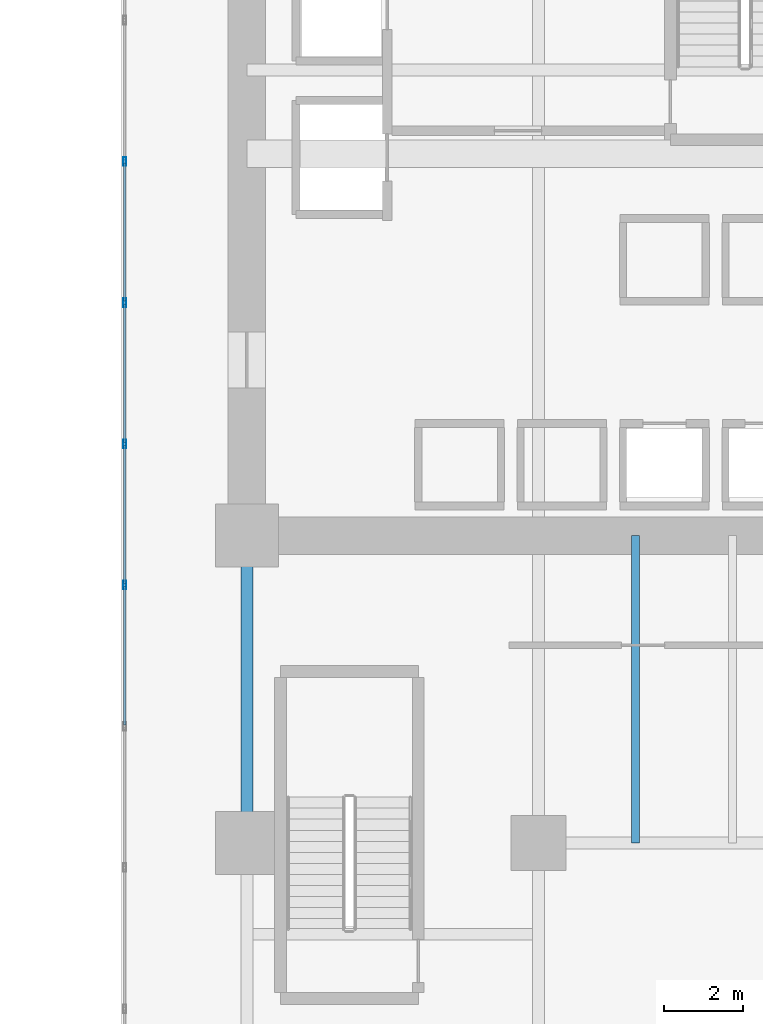
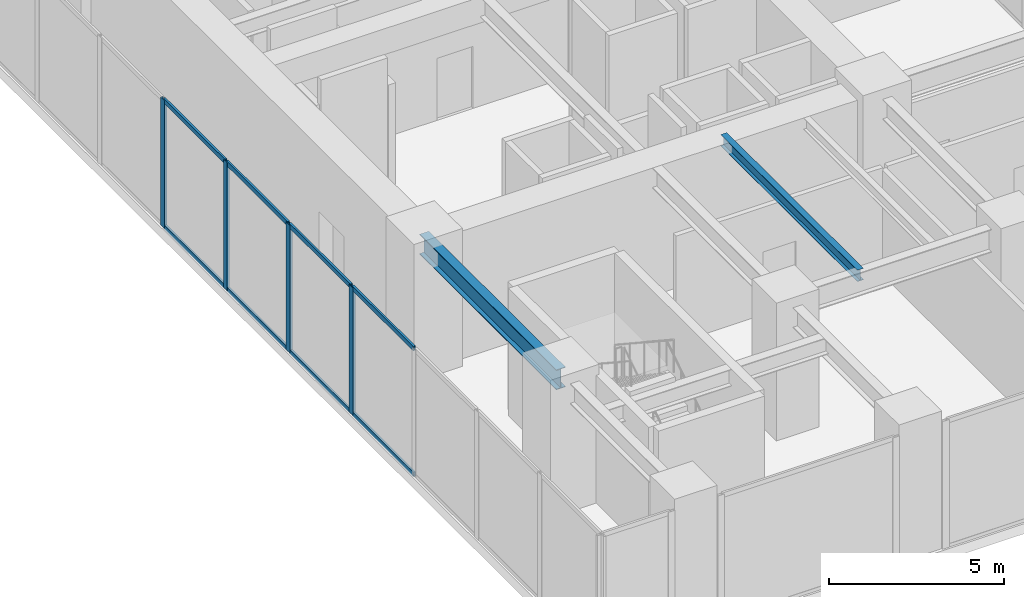
# One storey, part 9 of 32: 12 members, 2 beams, 1 element without a shape of its own.
"""IFC4 building model written with IfcOpenShell, lengths in metres."""

import ifcopenshell
import ifcopenshell.guid

model = None  # the IFC model being written
_history = None  # IfcOwnerHistory: only IFC2X3 demands one
_inside = {}  # id of a spatial element -> (the spatial element, [elements in it])
_under = {}  # id of a project, library or spatial element -> (it, [spatial elements below it])
_declared = {}  # id of a project -> (the project, [libraries it declares])
_typed = {}  # id of a type object -> (the type object, [elements of that type])
_made_of = {}  # id of a material, layer set ... -> (it, [elements and type objects made of it])


def new_model(schema):
    """Start an empty IFC model of exactly this schema.

    Asked for "IFC4X3", IfcOpenShell would pick the latest addendum, in which some entities
    have other attributes; the version numbers below select the first issue.
    IFC2X3 requires an IfcOwnerHistory on every rooted entity: one is made here for all.
    """
    global model, _history
    if schema == "IFC4X3":
        model = ifcopenshell.file(schema_version=(4, 3, 0, 0))
    else:
        model = ifcopenshell.file(schema=schema)
    _inside.clear()
    _under.clear()
    _declared.clear()
    _typed.clear()
    _made_of.clear()
    _history = None
    if model.schema == "IFC2X3":
        org = make("IfcOrganization", Name="unknown")
        user = make(
            "IfcPersonAndOrganization",
            ThePerson=make("IfcPerson", FamilyName="unknown"),
            TheOrganization=org,
        )
        app = make(
            "IfcApplication",
            ApplicationDeveloper=org,
            Version="unknown",
            ApplicationFullName="unknown",
            ApplicationIdentifier="unknown",
        )
        _history = make(
            "IfcOwnerHistory",
            OwningUser=user,
            OwningApplication=app,
            ChangeAction="ADDED",
            CreationDate=0,
        )
    return model


def make(cls, **values):
    """One entity of the class cls with the attributes given. An attribute that is None is left unset."""
    return model.create_entity(
        cls, **{name: value for name, value in values.items() if value is not None}
    )


def rooted(cls, **values):
    """An entity with a GlobalId (a new one), such as an element, a storey or a relation."""
    return make(cls, GlobalId=ifcopenshell.guid.new(), OwnerHistory=_history, **values)


def si_unit(unit_type, name, prefix=None):
    """IfcSIUnit, for example si_unit("LENGTHUNIT", "METRE", prefix="MILLI")."""
    return make("IfcSIUnit", UnitType=unit_type, Prefix=prefix, Name=name)


def assignment(units):
    """IfcUnitAssignment: the units of a project."""
    return None if units is None else make("IfcUnitAssignment", Units=units)


def point(xyz):
    """IfcCartesianPoint."""
    return None if xyz is None else make("IfcCartesianPoint", Coordinates=xyz)


def direction(xyz):
    """IfcDirection."""
    return None if xyz is None else make("IfcDirection", DirectionRatios=xyz)


def frame(location, z_axis=None, x_axis=None):
    """IfcAxis2Placement3D, a coordinate frame: its origin and axes. An axis left out is left unset."""
    return make(
        "IfcAxis2Placement3D",
        Location=point(location),
        Axis=direction(z_axis),
        RefDirection=direction(x_axis),
    )


def frame_2d(location, x_axis=None):
    """IfcAxis2Placement2D, a coordinate frame in the plane: its origin and x axis."""
    return make(
        "IfcAxis2Placement2D", Location=point(location), RefDirection=direction(x_axis)
    )


def origin():
    """The frame at (0, 0, 0) with its axes left unset."""
    return frame((0.0, 0.0, 0.0))


def origin_2d():
    """The frame at (0, 0) in the plane with its x axis left unset."""
    return frame_2d((0.0, 0.0))


def place(relative_to, where):
    """IfcLocalPlacement: puts the frame where relative to a parent placement (None: the world)."""
    return make(
        "IfcLocalPlacement", PlacementRelTo=relative_to, RelativePlacement=where
    )


def context(
    kind, dimensions, precision=None, world=None, true_north=None, identifier=None
):
    """IfcGeometricRepresentationContext, for example the 3D "Model" context."""
    return make(
        "IfcGeometricRepresentationContext",
        ContextIdentifier=identifier,
        ContextType=kind,
        CoordinateSpaceDimension=dimensions,
        Precision=precision,
        WorldCoordinateSystem=world,
        TrueNorth=true_north,
    )


def subcontext(parent, identifier, kind, view, scale=None):
    """IfcGeometricRepresentationSubContext, for example "Body" below "Model"."""
    return make(
        "IfcGeometricRepresentationSubContext",
        ContextIdentifier=identifier,
        ContextType=kind,
        ParentContext=parent,
        TargetScale=scale,
        TargetView=view,
    )


def project(units=None, contexts=None):
    """IfcProject with its units and contexts."""
    return rooted(
        "IfcProject",
        Name="project",
        RepresentationContexts=contexts,
        UnitsInContext=assignment(units),
    )


def spatial(cls, under=None, at=None, **own):
    """A site, building, storey or space (cls), placed at a placement, below another one or the project."""
    s = rooted(cls, ObjectPlacement=at, **own)
    if under is not None:
        _under.setdefault(under.id(), (under, []))[1].append(s)
    return s


def profile(cls, at=None, kind="AREA", **sizes):
    """A parametric profile (cls). Its sizes go by their IFC names, for example OverallWidth=200.0."""
    return make(cls, ProfileType=kind, Position=at, **sizes)


def hollow_rectangle(**sizes):
    """IfcRectangleHollowProfileDef."""
    return profile("IfcRectangleHollowProfileDef", **sizes)


def i_section(**sizes):
    """IfcIShapeProfileDef."""
    return profile("IfcIShapeProfileDef", **sizes)


def extrude(swept, where, along, depth):
    """IfcExtrudedAreaSolid: the profile swept, set in the frame where, extruded along a direction by depth."""
    return make(
        "IfcExtrudedAreaSolid",
        SweptArea=swept,
        Position=where,
        ExtrudedDirection=direction(along),
        Depth=depth,
    )


def shape(context_of_items, identifier, shape_type, items):
    """IfcShapeRepresentation: the items that make up one representation, for example the "Body"."""
    return make(
        "IfcShapeRepresentation",
        ContextOfItems=context_of_items,
        RepresentationIdentifier=identifier,
        RepresentationType=shape_type,
        Items=items,
    )


def source(mapping_origin, context_of_items, identifier, shape_type, items):
    """IfcRepresentationMap: a shape defined once, which mapped items show again and again."""
    return make(
        "IfcRepresentationMap",
        MappingOrigin=mapping_origin,
        MappedRepresentation=shape(context_of_items, identifier, shape_type, items),
    )


def transform(
    local_origin,
    x_axis=None,
    y_axis=None,
    z_axis=None,
    scale=None,
    scale2=None,
    scale3=None,
    uniform=True,
):
    """IfcCartesianTransformationOperator3D, or its non-uniform kind. x_axis, y_axis, z_axis: its Axis1, 2, 3."""
    if uniform:
        return make(
            "IfcCartesianTransformationOperator3D",
            Axis1=direction(x_axis),
            Axis2=direction(y_axis),
            LocalOrigin=point(local_origin),
            Scale=scale,
            Axis3=direction(z_axis),
        )
    return make(
        "IfcCartesianTransformationOperator3DnonUniform",
        Axis1=direction(x_axis),
        Axis2=direction(y_axis),
        LocalOrigin=point(local_origin),
        Scale=scale,
        Axis3=direction(z_axis),
        Scale2=scale2,
        Scale3=scale3,
    )


def mapped(mapping_source, mapping_target):
    """IfcMappedItem: shows the shape of a source again, moved by a transform."""
    return make(
        "IfcMappedItem", MappingSource=mapping_source, MappingTarget=mapping_target
    )


def material(Name=None, Category=None):
    """IfcMaterial."""
    return make("IfcMaterial", Name=Name, Category=Category)


def layer(
    of_material, thickness, ventilated=None, Name=None, Category=None, Priority=None
):
    """IfcMaterialLayer: one layer of a wall or slab, of a material (None: an air gap)."""
    return make(
        "IfcMaterialLayer",
        Material=of_material,
        LayerThickness=thickness,
        IsVentilated=ventilated,
        Name=Name,
        Category=Category,
        Priority=Priority,
    )


def layer_set(layers, Name=None):
    """IfcMaterialLayerSet."""
    return make("IfcMaterialLayerSet", MaterialLayers=layers, LayerSetName=Name)


def material_profile(
    of_material, cross_section, Name=None, Category=None, Priority=None
):
    """IfcMaterialProfile: a cross section and its material."""
    return make(
        "IfcMaterialProfile",
        Name=Name,
        Material=of_material,
        Profile=cross_section,
        Priority=Priority,
        Category=Category,
    )


def profile_set(profiles, Name=None, composite=None):
    """IfcMaterialProfileSet."""
    return make(
        "IfcMaterialProfileSet",
        Name=Name,
        MaterialProfiles=profiles,
        CompositeProfile=composite,
    )


def made_of(thing, what):
    """Note that an element or type object is made of a material, layer set ...; save() writes the relation."""
    if what is not None:
        _made_of.setdefault(what.id(), (what, []))[1].append(thing)
    return thing


def type_object(cls, material=None, **own):
    """A type object (cls), such as IfcWallType, which elements share."""
    return made_of(rooted(cls, **own), material)


def type_shapes(of_type, sources):
    """Give a type object the sources (RepresentationMaps) that its elements show as mapped items."""
    of_type.RepresentationMaps = sources


def element(
    cls,
    number,
    at=None,
    inside=None,
    cuts=None,
    type_object=None,
    material=None,
    context=None,
    identifier="Body",
    shape_type=None,
    held_by="IfcProductDefinitionShape",
    body=None,
    shapes=None,
    **own,
):
    """One element of the class cls, such as IfcWall. Its Tag is "e" and its number.

    at: its placement. inside: the storey or other place that contains it. cuts: it is an
    opening in that element (IfcRelVoidsElement). A single representation is given by context,
    identifier, shape_type and body (its items); several are given by shapes. held_by: the class
    of the entity that holds the representations. save() writes the other relations.
    """
    e = rooted(cls, Tag="e%d" % number, ObjectPlacement=at, **own)
    if body is not None:
        shapes = [shape(context, identifier, shape_type, body)]
    if shapes is not None:
        e.Representation = make(held_by, Representations=shapes)
    if inside is not None:
        _inside.setdefault(inside.id(), (inside, []))[1].append(e)
    if cuts is not None:
        rooted(
            "IfcRelVoidsElement", RelatingBuildingElement=cuts, RelatedOpeningElement=e
        )
    if type_object is not None:
        _typed.setdefault(type_object.id(), (type_object, []))[1].append(e)
    return made_of(e, material)


def aggregate(whole, parts):
    """IfcRelAggregates: a whole, such as a stair, and the parts it consists of."""
    return rooted("IfcRelAggregates", RelatingObject=whole, RelatedObjects=parts)


def save(model, path):
    """Write the relations noted so far, then the file.

    IfcRelAggregates (storeys below a building ...), IfcRelContainedInSpatialStructure (elements
    in a storey), IfcRelDefinesByType, IfcRelAssociatesMaterial and IfcRelDeclares: one each for
    every whole, place, type object, material and project.
    """
    for whole, parts in _under.values():
        aggregate(whole, parts)
    for where, things in _inside.values():
        rooted(
            "IfcRelContainedInSpatialStructure",
            RelatedElements=things,
            RelatingStructure=where,
        )
    for kind, things in _typed.values():
        rooted("IfcRelDefinesByType", RelatedObjects=things, RelatingType=kind)
    for what, things in _made_of.values():
        rooted("IfcRelAssociatesMaterial", RelatedObjects=things, RelatingMaterial=what)
    for by, libraries in _declared.values():
        rooted("IfcRelDeclares", RelatingContext=by, RelatedDefinitions=libraries)
    model.write(path)


model = new_model("IFC4")

# Units and contexts
model_context = context("Model", 3, precision=1e-05, world=origin(), true_north=direction((0.0, 1.0)))
body_context = subcontext(model_context, "Body", "Model", "MODEL_VIEW")
ifc_project = project(units=[si_unit("LENGTHUNIT", "METRE"), si_unit("AREAUNIT", "SQUARE_METRE"), si_unit("VOLUMEUNIT", "CUBIC_METRE"), si_unit("PLANEANGLEUNIT", "RADIAN"), si_unit("MASSUNIT", "GRAM", prefix="KILO")], contexts=[model_context])

# Site, building, storey
site_placement = place(None, origin())
site = spatial("IfcSite", under=ifc_project, at=site_placement, CompositionType="ELEMENT")
building_placement = place(site_placement, origin())
building = spatial("IfcBuilding", under=site, at=building_placement, Name="Haelvirn Gate Laboratories", CompositionType="ELEMENT")
storey_placement = place(building_placement, frame((0.0, 0.0, 5.39990234375)))
storey = spatial("IfcBuildingStorey", under=building, at=storey_placement, Name="L02", CompositionType="ELEMENT", Elevation=5.39990234375)

# Beams
ifc_material_1 = material(Name="Steel SM355", Category="steel")
ifc_material_profile_1 = material_profile(ifc_material_1, i_section(OverallWidth=0.199951171875, OverallDepth=0.39990234375, WebThickness=0.008056640625, FlangeThickness=0.012939453125, at=origin_2d()), Name="H-400x200x8x13")
ifc_profile_set_1 = profile_set([ifc_material_profile_1], Name="Steel SM355")
beam_type_1 = type_object("IfcBeamType", Name="BM-J-400", PredefinedType="JOIST", material=ifc_profile_set_1)
shared_shape_1 = source(origin(), body_context, "Body", "SweptSolid", [
    extrude(i_section(OverallWidth=0.199951171875, OverallDepth=0.39990234375, WebThickness=0.008056640625, FlangeThickness=0.012939453125, at=origin_2d()), origin(), (0.0, 0.0, 1.0), 7.800048828125),
])
type_shapes(beam_type_1, [shared_shape_1])
beam_1_placement = place(storey_placement, frame((62.469970703125, 7.0, 4.25), z_axis=(0.0, 1.0, 0.0), x_axis=(-1.0, 0.0, 0.0)))
element("IfcBeam", 1, at=beam_1_placement, inside=storey, type_object=beam_type_1, Name="L02 Composite Lab Joist South X62.47", PredefinedType="JOIST", context=body_context, shape_type="MappedRepresentation", body=[
    mapped(shared_shape_1, transform((0.0, 0.0, 0.0), scale=1.0)),
])
ifc_material_profile_2 = material_profile(ifc_material_1, i_section(OverallWidth=0.300048828125, OverallDepth=0.699951171875, WebThickness=0.012939453125, FlangeThickness=0.02392578125, at=origin_2d()), Name="H-700x300x13x24")
ifc_profile_set_2 = profile_set([ifc_material_profile_2], Name="Steel SM355")
beam_type_2 = type_object("IfcBeamType", Name="BM-G-700", PredefinedType="BEAM", material=ifc_profile_set_2)
shared_shape_2 = source(origin(), body_context, "Body", "SweptSolid", [
    extrude(i_section(OverallWidth=0.300048828125, OverallDepth=0.699951171875, WebThickness=0.012939453125, FlangeThickness=0.02392578125, at=origin_2d()), origin(), (0.0, 0.0, 1.0), 7.800048828125),
])
type_shapes(beam_type_2, [shared_shape_2])
beam_2_placement = place(storey_placement, frame((52.60009765625, 7.0, 4.10009765625), z_axis=(0.0, 1.0, 0.0), x_axis=(-1.0, 0.0, 0.0)))
element("IfcBeam", 2, at=beam_2_placement, inside=storey, type_object=beam_type_2, Name="L02 Frame Girder X52.6 (7.0-14.8)", PredefinedType="BEAM", context=body_context, shape_type="MappedRepresentation", body=[
    mapped(shared_shape_2, transform((0.0, 0.0, 0.0), scale=1.0)),
])

# Curtain wall, members
ifc_material_2 = material(Name="Anodised bronze unitised aluminium & triple low-E glass", Category="aluminium")
ifc_layer = layer(ifc_material_2, 0.18798828125, Name="CW-SYS-1")
ifc_layer_set = layer_set([ifc_layer], Name="Anodised bronze unitised aluminium & triple low-E glass")
curtain_wall_type = type_object("IfcCurtainWallType", Name="CW-SYS-1", PredefinedType="NOTDEFINED", material=ifc_layer_set)
curtain_wall_placement = place(storey_placement, origin())
curtain_wall = element("IfcCurtainWall", 3, at=curtain_wall_placement, inside=storey, type_object=curtain_wall_type, Name="L02 Unitised Curtain Wall CW-L02-P1-E07", PredefinedType="NOTDEFINED")
ifc_material_3 = material(Name="Extruded aluminium 6063-T6 (anodised bronze)", Category="aluminium")
ifc_material_profile_3 = material_profile(ifc_material_3, hollow_rectangle(XDim=0.080078125, YDim=0.219970703125, WallThickness=0.006103515625, at=origin_2d()), Name="CWM-220x80x6")
ifc_profile_set_3 = profile_set([ifc_material_profile_3], Name="Extruded aluminium 6063-T6 (anodised bronze)")
member_type_1 = type_object("IfcMemberType", Name="CWM-T220", PredefinedType="MULLION", material=ifc_profile_set_3)
shared_shape_3 = source(origin(), body_context, "Body", "SweptSolid", [
    extrude(hollow_rectangle(XDim=0.080078125, YDim=0.219970703125, WallThickness=0.006103515625, at=origin_2d()), origin(), (0.0, 0.0, 1.0), 4.4501953125),
])
type_shapes(member_type_1, [shared_shape_3])
member_1_placement = place(storey_placement, frame((49.5, 24.300048828125, 0.0), z_axis=(0.0, 0.0, 1.0), x_axis=(1.0, 0.0, 0.0)))
member_1 = element("IfcMember", 4, at=member_1_placement, type_object=member_type_1, Name="CW1 mullion 8", PredefinedType="MULLION", context=body_context, shape_type="MappedRepresentation", body=[
    mapped(shared_shape_3, transform((0.0, 0.0, 0.0), scale=1.0)),
])
member_2_placement = place(storey_placement, frame((49.5, 20.71435546875, 0.0), z_axis=(0.0, 0.0, 1.0), x_axis=(1.0, 0.0, 0.0)))
member_2 = element("IfcMember", 5, at=member_2_placement, type_object=member_type_1, Name="CW1 mullion 9", PredefinedType="MULLION", context=body_context, shape_type="MappedRepresentation", body=[
    mapped(shared_shape_3, transform((0.0, 0.0, 0.0), scale=1.0)),
])
member_3_placement = place(storey_placement, frame((49.5, 17.128662109375, 0.0), z_axis=(0.0, 0.0, 1.0), x_axis=(1.0, 0.0, 0.0)))
member_3 = element("IfcMember", 6, at=member_3_placement, type_object=member_type_1, Name="CW1 mullion 10", PredefinedType="MULLION", context=body_context, shape_type="MappedRepresentation", body=[
    mapped(shared_shape_3, transform((0.0, 0.0, 0.0), scale=1.0)),
])
member_4_placement = place(storey_placement, frame((49.5, 13.54296875, 0.0), z_axis=(0.0, 0.0, 1.0), x_axis=(1.0, 0.0, 0.0)))
member_4 = element("IfcMember", 7, at=member_4_placement, type_object=member_type_1, Name="CW1 mullion 11", PredefinedType="MULLION", context=body_context, shape_type="MappedRepresentation", body=[
    mapped(shared_shape_3, transform((0.0, 0.0, 0.0), scale=1.0)),
])
ifc_material_profile_4 = material_profile(ifc_material_3, hollow_rectangle(XDim=0.070068359375, YDim=0.159912109375, WallThickness=0.0048828125, at=origin_2d()), Name="CWT-160x70x5")
ifc_profile_set_4 = profile_set([ifc_material_profile_4], Name="Extruded aluminium 6063-T6 (anodised bronze)")
member_type_2 = type_object("IfcMemberType", Name="CWT-T160", PredefinedType="USERDEFINED", material=ifc_profile_set_4)
shared_shape_4 = source(origin(), body_context, "Body", "SweptSolid", [
    extrude(hollow_rectangle(XDim=0.070068359375, YDim=0.159912109375, WallThickness=0.0048828125, at=origin_2d()), origin(), (0.0, 0.0, 1.0), 3.505859375),
])
member_5_placement = place(storey_placement, frame((49.5, 20.67431640625, 0.03515625), z_axis=(0.0, -1.0, 0.0), x_axis=(1.0, 0.0, 0.0)))
member_5 = element("IfcMember", 8, at=member_5_placement, type_object=member_type_2, Name="CW1 transom 9.1", ObjectType="TRANSOM", PredefinedType="USERDEFINED", context=body_context, shape_type="MappedRepresentation", body=[
    mapped(shared_shape_4, transform((0.0, 0.0, 0.0), scale=1.0)),
])
member_6_placement = place(storey_placement, frame((49.5, 20.67431640625, 4.4150390625), z_axis=(0.0, -1.0, 0.0), x_axis=(1.0, 0.0, 0.0)))
member_6 = element("IfcMember", 9, at=member_6_placement, type_object=member_type_2, Name="CW1 transom 9.2", ObjectType="TRANSOM", PredefinedType="USERDEFINED", context=body_context, shape_type="MappedRepresentation", body=[
    mapped(shared_shape_4, transform((0.0, 0.0, 0.0), scale=1.0)),
])
member_7_placement = place(storey_placement, frame((49.5, 17.088623046875, 0.03515625), z_axis=(0.0, -1.0, 0.0), x_axis=(1.0, 0.0, 0.0)))
member_7 = element("IfcMember", 10, at=member_7_placement, type_object=member_type_2, Name="CW1 transom 10.1", ObjectType="TRANSOM", PredefinedType="USERDEFINED", context=body_context, shape_type="MappedRepresentation", body=[
    mapped(shared_shape_4, transform((0.0, 0.0, 0.0), scale=1.0)),
])
member_8_placement = place(storey_placement, frame((49.5, 17.088623046875, 4.4150390625), z_axis=(0.0, -1.0, 0.0), x_axis=(1.0, 0.0, 0.0)))
member_8 = element("IfcMember", 11, at=member_8_placement, type_object=member_type_2, Name="CW1 transom 10.2", ObjectType="TRANSOM", PredefinedType="USERDEFINED", context=body_context, shape_type="MappedRepresentation", body=[
    mapped(shared_shape_4, transform((0.0, 0.0, 0.0), scale=1.0)),
])
member_9_placement = place(storey_placement, frame((49.5, 13.5029296875, 0.03515625), z_axis=(0.0, -1.0, 0.0), x_axis=(1.0, 0.0, 0.0)))
member_9 = element("IfcMember", 12, at=member_9_placement, type_object=member_type_2, Name="CW1 transom 11.1", ObjectType="TRANSOM", PredefinedType="USERDEFINED", context=body_context, shape_type="MappedRepresentation", body=[
    mapped(shared_shape_4, transform((0.0, 0.0, 0.0), scale=1.0)),
])
member_10_placement = place(storey_placement, frame((49.5, 13.5029296875, 4.4150390625), z_axis=(0.0, -1.0, 0.0), x_axis=(1.0, 0.0, 0.0)))
member_10 = element("IfcMember", 13, at=member_10_placement, type_object=member_type_2, Name="CW1 transom 11.2", ObjectType="TRANSOM", PredefinedType="USERDEFINED", context=body_context, shape_type="MappedRepresentation", body=[
    mapped(shared_shape_4, transform((0.0, 0.0, 0.0), scale=1.0)),
])
shared_shape_5 = source(origin(), body_context, "Body", "SweptSolid", [
    extrude(hollow_rectangle(XDim=0.070068359375, YDim=0.159912109375, WallThickness=0.0048828125, at=origin_2d()), origin(), (0.0, 0.0, 1.0), 3.505615234375),
])
type_shapes(member_type_2, [shared_shape_4, shared_shape_5])
member_11_placement = place(storey_placement, frame((49.5, 24.260009765625, 0.03515625), z_axis=(0.0, -1.0, 0.0), x_axis=(1.0, 0.0, 0.0)))
member_11 = element("IfcMember", 14, at=member_11_placement, type_object=member_type_2, Name="CW1 transom 8.1", ObjectType="TRANSOM", PredefinedType="USERDEFINED", context=body_context, shape_type="MappedRepresentation", body=[
    mapped(shared_shape_5, transform((0.0, 0.0, 0.0), scale=1.0)),
])
member_12_placement = place(storey_placement, frame((49.5, 24.260009765625, 4.4150390625), z_axis=(0.0, -1.0, 0.0), x_axis=(1.0, 0.0, 0.0)))
member_12 = element("IfcMember", 15, at=member_12_placement, type_object=member_type_2, Name="CW1 transom 8.2", ObjectType="TRANSOM", PredefinedType="USERDEFINED", context=body_context, shape_type="MappedRepresentation", body=[
    mapped(shared_shape_5, transform((0.0, 0.0, 0.0), scale=1.0)),
])
aggregate(curtain_wall, [member_1, member_2, member_3, member_4, member_11, member_12, member_5, member_6, member_7, member_8, member_9, member_10])

save(model, "model.ifc")
